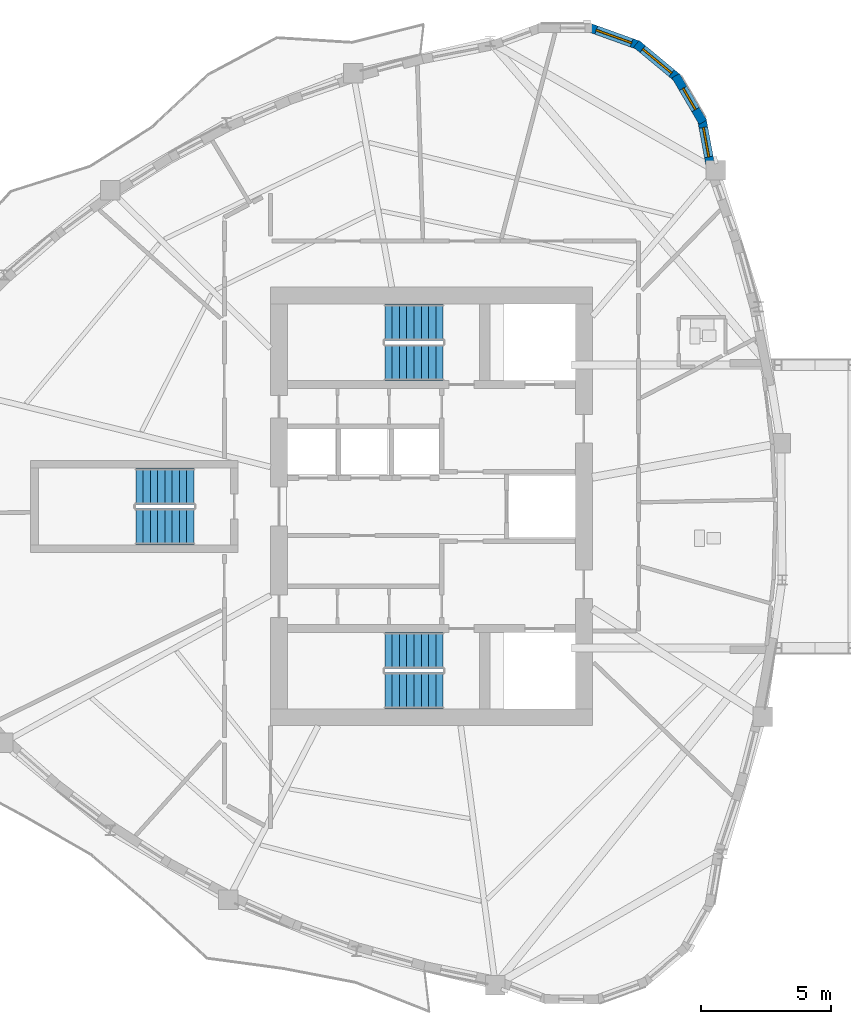
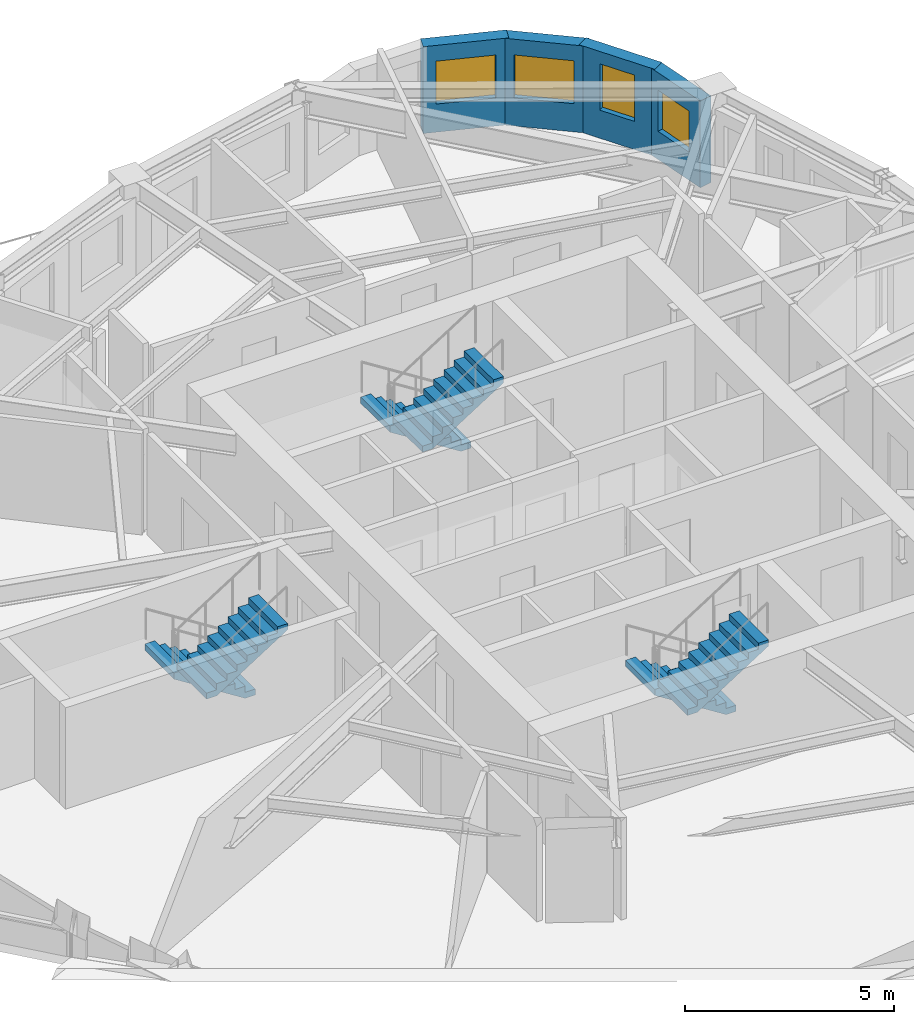
# One storey, part 9 of 13: 6 stair flights, 4 walls, 4 windows, 4 openings, 3 elements without a shape of their own.
"""IFC4 building model written with IfcOpenShell, lengths in metres."""

from ifc_helpers import new_model, si_unit, direction, frame, frame_2d, origin, place, context, subcontext, project, spatial, polyline, rectangle, outline, extrude, source, transform, mapped, material, layer, layer_set, type_object, element, fill, aggregate, save


model = new_model("IFC4")

# Units and contexts
model_context = context("Model", 3, precision=1e-05, world=origin(), true_north=direction((0.0, 1.0)))
body_context = subcontext(model_context, "Body", "Model", "MODEL_VIEW")
ifc_project = project(units=[si_unit("LENGTHUNIT", "METRE"), si_unit("AREAUNIT", "SQUARE_METRE"), si_unit("VOLUMEUNIT", "CUBIC_METRE"), si_unit("PLANEANGLEUNIT", "RADIAN"), si_unit("MASSUNIT", "GRAM", prefix="KILO")], contexts=[model_context])

# Site, building, storey
site_placement = place(None, origin())
site = spatial("IfcSite", under=ifc_project, at=site_placement, CompositionType="ELEMENT")
building_placement = place(site_placement, origin())
building = spatial("IfcBuilding", under=site, at=building_placement, Name="Qafzar Sky-Pleat Residences", CompositionType="ELEMENT")
storey_placement = place(building_placement, frame((0.0, 0.0, 158.60009765625)))
storey = spatial("IfcBuildingStorey", under=building, at=storey_placement, Name="L47", CompositionType="ELEMENT", Elevation=158.60009765625)

# Wall, opening, window
ifc_material_1 = material(Name="Precast concrete C40/50 with honed Riyadh limestone", Category="concrete")
ifc_layer = layer(ifc_material_1, 0.340087890625)
ifc_layer_set = layer_set([ifc_layer], Name="Precast concrete C40/50 with honed Riyadh limestone")
wall_type = type_object("IfcWallType", Name="WALL-EXT-340", PredefinedType="SOLIDWALL", material=ifc_layer_set)
wall_1_placement = place(storey_placement, frame((41.115478515625, 39.076171875, 0.0), z_axis=(0.0, 0.0, 1.0), x_axis=(-0.182320770307, 0.983239104549, 0.0)))
wall_1 = element("IfcWall", 1, at=wall_1_placement, inside=storey, type_object=wall_type, Name="L47 Limestone Facade Wall 33", PredefinedType="SOLIDWALL", context=body_context, shape_type="SweptSolid", body=[
    extrude(rectangle(XDim=1.88818359375, YDim=0.340087890625, at=frame_2d((0.944091796875, 0.0))), origin(), (0.0, 0.0, 1.0), 2.52978515625),
])
opening_1_placement = place(wall_1_placement, frame((0.404052734375, 0.0, 0.820068359375)))
opening_1 = element("IfcOpeningElement", 2, at=opening_1_placement, cuts=wall_1, Name="Opening WN-16", PredefinedType="OPENING", context=body_context, shape_type="SweptSolid", body=[
    extrude(rectangle(XDim=1.14990234375, YDim=1.199951171875, at=frame_2d((0.574951171875, 0.60009765625))), frame((0.0, 0.18017578125, 0.0), z_axis=(0.0, -1.0, 0.0), x_axis=(1.0, 0.0, 0.0)), (0.0, 0.0, 1.0), 0.360107421875),
])
ifc_material_2 = material(Name="Solar-control low-E glass in bronze aluminium frame", Category="glass")
window_type_1 = type_object("IfcWindowType", Name="WIN-16", PartitioningType="SINGLE_PANEL", PredefinedType="WINDOW", material=ifc_material_2)
shared_shape_1 = source(origin(), body_context, "Body", "SweptSolid", [
    extrude(rectangle(XDim=1.14990234375, YDim=1.199951171875, at=frame_2d((0.574951171875, 0.60009765625))), frame((0.0, 0.030029296875, 0.0), z_axis=(0.0, -1.0, 0.0), x_axis=(1.0, 0.0, 0.0)), (0.0, 0.0, 1.0), 0.06005859375),
])
window_1_placement = place(opening_1_placement, origin())
window_1 = element("IfcWindow", 3, at=window_1_placement, inside=storey, type_object=window_type_1, Name="L47 Punched Facade Window 33", OverallHeight=1.199951171875, OverallWidth=1.14990234375, PartitioningType="SINGLE_PANEL", PredefinedType="WINDOW", context=body_context, shape_type="MappedRepresentation", body=[
    mapped(shared_shape_1, transform((0.0, 0.0, 0.0), x_axis=(1.0, 0.0, 0.0), y_axis=(0.0, 1.0, 0.0), z_axis=(0.0, 0.0, 1.0), scale=1.0)),
])
fill(opening_1, window_1)

wall_2_placement = place(storey_placement, frame((40.818115234375, 40.8076171875, 0.0), z_axis=(0.0, 0.0, 1.0), x_axis=(-0.506312473438, 0.86235009088, 0.0)))
wall_2 = element("IfcWall", 4, at=wall_2_placement, inside=storey, type_object=wall_type, Name="L47 Limestone Facade Wall 34", PredefinedType="SOLIDWALL", context=body_context, shape_type="SweptSolid", body=[
    extrude(rectangle(XDim=2.0810546875, YDim=0.340087890625, at=frame_2d((1.04052734375, 0.0))), origin(), (0.0, 0.0, 1.0), 2.52978515625),
])
opening_2_placement = place(wall_2_placement, frame((0.565673828125, 0.0, 0.820068359375)))
opening_2 = element("IfcOpeningElement", 5, at=opening_2_placement, cuts=wall_2, Name="Opening WN-12", PredefinedType="OPENING", context=body_context, shape_type="SweptSolid", body=[
    extrude(rectangle(XDim=0.949951171875, YDim=1.35009765625, at=frame_2d((0.47509765625, 0.675048828125))), frame((0.0, 0.18017578125, 0.0), z_axis=(0.0, -1.0, 0.0), x_axis=(1.0, 0.0, 0.0)), (0.0, 0.0, 1.0), 0.360107421875),
])
window_type_2 = type_object("IfcWindowType", Name="WIN-12", PartitioningType="SINGLE_PANEL", PredefinedType="WINDOW", material=ifc_material_2)
shared_shape_2 = source(origin(), body_context, "Body", "SweptSolid", [
    extrude(rectangle(XDim=0.949951171875, YDim=1.35009765625, at=frame_2d((0.47509765625, 0.675048828125))), frame((0.0, 0.030029296875, 0.0), z_axis=(0.0, -1.0, 0.0), x_axis=(1.0, 0.0, 0.0)), (0.0, 0.0, 1.0), 0.06005859375),
])
window_2_placement = place(opening_2_placement, origin())
window_2 = element("IfcWindow", 6, at=window_2_placement, inside=storey, type_object=window_type_2, Name="L47 Punched Facade Window 34", OverallHeight=1.35009765625, OverallWidth=0.949951171875, PartitioningType="SINGLE_PANEL", PredefinedType="WINDOW", context=body_context, shape_type="MappedRepresentation", body=[
    mapped(shared_shape_2, transform((0.0, 0.0, 0.0), x_axis=(1.0, 0.0, 0.0), y_axis=(0.0, 1.0, 0.0), z_axis=(0.0, 0.0, 1.0), scale=1.0)),
])
fill(opening_2, window_2)

wall_3_placement = place(storey_placement, frame((39.850830078125, 42.50048828125, 0.0), z_axis=(0.0, 0.0, 1.0), x_axis=(-0.769642650648, 0.638474894028, 0.0)))
wall_3 = element("IfcWall", 7, at=wall_3_placement, inside=storey, type_object=wall_type, Name="L47 Limestone Facade Wall 35", PredefinedType="SOLIDWALL", context=body_context, shape_type="SweptSolid", body=[
    extrude(rectangle(XDim=2.080810546875, YDim=0.340087890625, at=frame_2d((1.04052734375, 0.0))), origin(), (0.0, 0.0, 1.0), 2.52978515625),
])
opening_3_placement = place(wall_3_placement, frame((0.3154296875, 0.0, 0.820068359375)))
opening_3 = element("IfcOpeningElement", 8, at=opening_3_placement, cuts=wall_3, Name="Opening WN-15", PredefinedType="OPENING", context=body_context, shape_type="SweptSolid", body=[
    extrude(rectangle(XDim=1.449951171875, YDim=1.25, at=frame_2d((0.72509765625, 0.625))), frame((0.0, 0.18017578125, 0.0), z_axis=(0.0, -1.0, 0.0), x_axis=(1.0, 0.0, 0.0)), (0.0, 0.0, 1.0), 0.360107421875),
])
window_type_3 = type_object("IfcWindowType", Name="WIN-15", PartitioningType="SINGLE_PANEL", PredefinedType="WINDOW", material=ifc_material_2)
shared_shape_3 = source(origin(), body_context, "Body", "SweptSolid", [
    extrude(rectangle(XDim=1.449951171875, YDim=1.25, at=frame_2d((0.72509765625, 0.625))), frame((0.0, 0.030029296875, 0.0), z_axis=(0.0, -1.0, 0.0), x_axis=(1.0, 0.0, 0.0)), (0.0, 0.0, 1.0), 0.06005859375),
])
window_3_placement = place(opening_3_placement, origin())
window_3 = element("IfcWindow", 9, at=window_3_placement, inside=storey, type_object=window_type_3, Name="L47 Punched Facade Window 35", OverallHeight=1.25, OverallWidth=1.449951171875, PartitioningType="SINGLE_PANEL", PredefinedType="WINDOW", context=body_context, shape_type="MappedRepresentation", body=[
    mapped(shared_shape_3, transform((0.0, 0.0, 0.0), x_axis=(1.0, 0.0, 0.0), y_axis=(0.0, 1.0, 0.0), z_axis=(0.0, 0.0, 1.0), scale=1.0)),
])
fill(opening_3, window_3)

wall_4_placement = place(storey_placement, frame((38.365234375, 43.762939453125, 0.0), z_axis=(0.0, 0.0, 1.0), x_axis=(-0.941071215914, 0.338208466153, 0.0)))
wall_4 = element("IfcWall", 10, at=wall_4_placement, inside=storey, type_object=wall_type, Name="L47 Limestone Facade Wall 36", PredefinedType="SOLIDWALL", context=body_context, shape_type="SweptSolid", body=[
    extrude(rectangle(XDim=2.0810546875, YDim=0.340087890625, at=frame_2d((1.04052734375, 0.0))), origin(), (0.0, 0.0, 1.0), 2.52978515625),
])
opening_4_placement = place(wall_4_placement, frame((0.315673828125, 0.0, 0.820068359375)))
opening_4 = element("IfcOpeningElement", 11, at=opening_4_placement, cuts=wall_4, Name="Opening WN-15", PredefinedType="OPENING", context=body_context, shape_type="SweptSolid", body=[
    extrude(rectangle(XDim=1.449951171875, YDim=1.25, at=frame_2d((0.72509765625, 0.625))), frame((0.0, 0.18017578125, 0.0), z_axis=(0.0, -1.0, 0.0), x_axis=(1.0, 0.0, 0.0)), (0.0, 0.0, 1.0), 0.360107421875),
])
window_4_placement = place(opening_4_placement, origin())
window_4 = element("IfcWindow", 12, at=window_4_placement, inside=storey, type_object=window_type_3, Name="L47 Punched Facade Window 36", OverallHeight=1.25, OverallWidth=1.449951171875, PartitioningType="SINGLE_PANEL", PredefinedType="WINDOW", context=body_context, shape_type="MappedRepresentation", body=[
    mapped(shared_shape_3, transform((0.0, 0.0, 0.0), x_axis=(1.0, 0.0, 0.0), y_axis=(0.0, 1.0, 0.0), z_axis=(0.0, 0.0, 1.0), scale=1.0)),
])
fill(opening_4, window_4)

# Stair, stair flights
ifc_material_3 = material(Name="Concrete C40/50", Category="concrete")
stair_type = type_object("IfcStairType", Name="STAIR-H320", PredefinedType="HALF_TURN_STAIR", material=ifc_material_3)
stair_1_placement = place(storey_placement, origin())
stair_1 = element("IfcStair", 13, at=stair_1_placement, inside=storey, type_object=stair_type, Name="L47 Protected Exit Stair ST1", PredefinedType="HALF_TURN_STAIR")
stair_flight_type = type_object("IfcStairFlightType", Name="FLIGHT-H320", PredefinedType="STRAIGHT", material=ifc_material_3)
shared_shape_4 = source(origin(), body_context, "Body", "SweptSolid", [
    extrude(outline(polyline([(0.0, 0.0), (0.0, 0.177734375), (0.280029296875, 0.177734375), (0.280029296875, 0.35546875), (0.56005859375, 0.35546875), (0.56005859375, 0.533447265625), (0.840087890625, 0.533447265625), (0.840087890625, 0.711181640625), (1.1201171875, 0.711181640625), (1.1201171875, 0.888916015625), (1.39990234375, 0.888916015625), (1.39990234375, 1.066650390625), (1.679931640625, 1.066650390625), (1.679931640625, 1.244384765625), (1.9599609375, 1.244384765625), (1.9599609375, 1.422119140625), (2.239990234375, 1.422119140625), (2.239990234375, 1.60009765625), (2.239990234375, 1.24462890625), (0.27978515625, 0.0), (0.0, 0.0)])), frame((0.0, 0.699951171875, 0.0), z_axis=(0.0, -1.0, 0.0), x_axis=(1.0, 0.0, 0.0)), (0.0, 0.0, 1.0), 1.39990234375),
])
stair_flight_1_placement = place(storey_placement, frame((30.800048828125, 20.449951171875, 0.0), z_axis=(0.0, 0.0, 1.0), x_axis=(-1.0, 0.0, 0.0)))
stair_flight_1 = element("IfcStairFlight", 14, at=stair_flight_1_placement, type_object=stair_flight_type, Name="ST1 flight 1", NumberOfRisers=9, NumberOfTreads=8, PredefinedType="STRAIGHT", RiserHeight=0.177777778, TreadLength=0.28, context=body_context, shape_type="MappedRepresentation", body=[
    mapped(shared_shape_4, transform((0.0, 0.0, 0.0), x_axis=(1.0, 0.0, 0.0), y_axis=(0.0, 1.0, 0.0), z_axis=(0.0, 0.0, 1.0), scale=1.0)),
])
stair_flight_2_placement = place(storey_placement, frame((28.56005859375, 18.89990234375, 1.599853515625), z_axis=(0.0, 0.0, 1.0), x_axis=(1.0, 0.0, 0.0)))
stair_flight_2 = element("IfcStairFlight", 15, at=stair_flight_2_placement, type_object=stair_flight_type, Name="ST1 flight 2", NumberOfRisers=9, NumberOfTreads=8, PredefinedType="STRAIGHT", RiserHeight=0.177777778, TreadLength=0.28, context=body_context, shape_type="MappedRepresentation", body=[
    mapped(shared_shape_4, transform((0.0, 0.0, 0.0), x_axis=(1.0, 0.0, 0.0), y_axis=(0.0, 1.0, 0.0), z_axis=(0.0, 0.0, 1.0), scale=1.0)),
])
aggregate(stair_1, [stair_flight_1, stair_flight_2])

stair_2_placement = place(storey_placement, origin())
stair_2 = element("IfcStair", 16, at=stair_2_placement, inside=storey, type_object=stair_type, Name="L47 Protected Exit Stair ST2", PredefinedType="HALF_TURN_STAIR")
stair_flight_3_placement = place(storey_placement, frame((30.800048828125, 33.10009765625, 0.0), z_axis=(0.0, 0.0, 1.0), x_axis=(-1.0, 0.0, 0.0)))
stair_flight_3 = element("IfcStairFlight", 17, at=stair_flight_3_placement, type_object=stair_flight_type, Name="ST2 flight 1", NumberOfRisers=9, NumberOfTreads=8, PredefinedType="STRAIGHT", RiserHeight=0.177777778, TreadLength=0.28, context=body_context, shape_type="MappedRepresentation", body=[
    mapped(shared_shape_4, transform((0.0, 0.0, 0.0), x_axis=(1.0, 0.0, 0.0), y_axis=(0.0, 1.0, 0.0), z_axis=(0.0, 0.0, 1.0), scale=1.0)),
])
stair_flight_4_placement = place(storey_placement, frame((28.56005859375, 31.550048828125, 1.599853515625), z_axis=(0.0, 0.0, 1.0), x_axis=(1.0, 0.0, 0.0)))
stair_flight_4 = element("IfcStairFlight", 18, at=stair_flight_4_placement, type_object=stair_flight_type, Name="ST2 flight 2", NumberOfRisers=9, NumberOfTreads=8, PredefinedType="STRAIGHT", RiserHeight=0.177777778, TreadLength=0.28, context=body_context, shape_type="MappedRepresentation", body=[
    mapped(shared_shape_4, transform((0.0, 0.0, 0.0), x_axis=(1.0, 0.0, 0.0), y_axis=(0.0, 1.0, 0.0), z_axis=(0.0, 0.0, 1.0), scale=1.0)),
])
aggregate(stair_2, [stair_flight_3, stair_flight_4])

stair_3_placement = place(storey_placement, origin())
stair_3 = element("IfcStair", 19, at=stair_3_placement, inside=storey, type_object=stair_type, Name="L47 Protected Exit Stair ST3", PredefinedType="HALF_TURN_STAIR")
stair_flight_5_placement = place(storey_placement, frame((21.199951171875, 26.77490234375, 0.0), z_axis=(0.0, 0.0, 1.0), x_axis=(-1.0, 0.0, 0.0)))
stair_flight_5 = element("IfcStairFlight", 20, at=stair_flight_5_placement, type_object=stair_flight_type, Name="ST3 flight 1", NumberOfRisers=9, NumberOfTreads=8, PredefinedType="STRAIGHT", RiserHeight=0.177777778, TreadLength=0.28, context=body_context, shape_type="MappedRepresentation", body=[
    mapped(shared_shape_4, transform((0.0, 0.0, 0.0), x_axis=(1.0, 0.0, 0.0), y_axis=(0.0, 1.0, 0.0), z_axis=(0.0, 0.0, 1.0), scale=1.0)),
])
stair_flight_6_placement = place(storey_placement, frame((18.9599609375, 25.22509765625, 1.599853515625), z_axis=(0.0, 0.0, 1.0), x_axis=(1.0, 0.0, 0.0)))
stair_flight_6 = element("IfcStairFlight", 21, at=stair_flight_6_placement, type_object=stair_flight_type, Name="ST3 flight 2", NumberOfRisers=9, NumberOfTreads=8, PredefinedType="STRAIGHT", RiserHeight=0.177777778, TreadLength=0.28, context=body_context, shape_type="MappedRepresentation", body=[
    mapped(shared_shape_4, transform((0.0, 0.0, 0.0), x_axis=(1.0, 0.0, 0.0), y_axis=(0.0, 1.0, 0.0), z_axis=(0.0, 0.0, 1.0), scale=1.0)),
])
aggregate(stair_3, [stair_flight_5, stair_flight_6])

save(model, "model.ifc")
